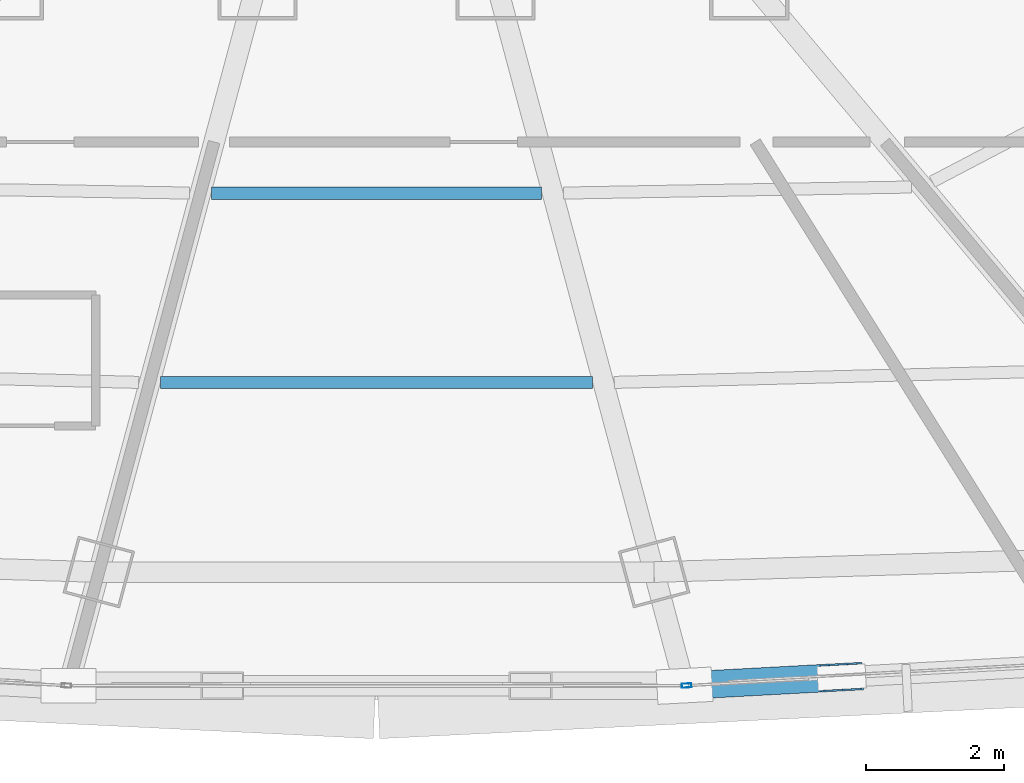
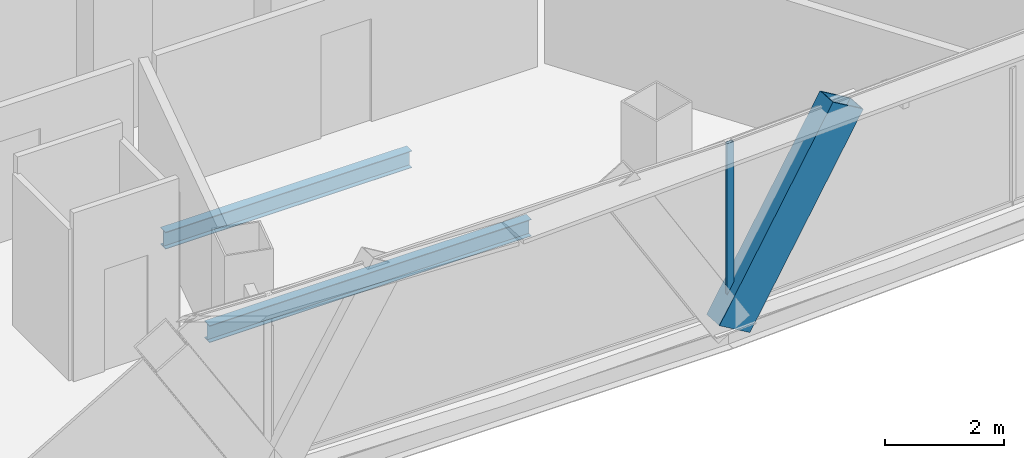
# One storey, part 10 of 37: 2 beams, 2 members, 1 element without a shape of its own.
"""IFC4 building model written with IfcOpenShell, lengths in metres."""

from ifc_helpers import new_model, si_unit, direction, frame, origin, origin_2d, place, context, subcontext, project, spatial, hollow_rectangle, i_section, extrude, source, transform, mapped, material, layer, layer_set, material_profile, profile_set, type_object, element, aggregate, save


model = new_model("IFC4")

# Units and contexts
model_context = context("Model", 3, precision=1e-05, world=origin(), true_north=direction((0.0, 1.0)))
body_context = subcontext(model_context, "Body", "Model", "MODEL_VIEW")
ifc_project = project(units=[si_unit("LENGTHUNIT", "METRE"), si_unit("AREAUNIT", "SQUARE_METRE"), si_unit("VOLUMEUNIT", "CUBIC_METRE"), si_unit("PLANEANGLEUNIT", "RADIAN"), si_unit("MASSUNIT", "GRAM", prefix="KILO"), si_unit("THERMODYNAMICTEMPERATUREUNIT", "KELVIN"), si_unit("POWERUNIT", "WATT")], contexts=[model_context])

# Site, building, storey
site_placement = place(None, origin())
site = spatial("IfcSite", under=ifc_project, at=site_placement, CompositionType="ELEMENT")
building_placement = place(site_placement, origin())
building = spatial("IfcBuilding", under=site, at=building_placement, Name="Yunzhuo Pagoda Commons", CompositionType="ELEMENT")
storey_placement = place(building_placement, frame((0.0, 0.0, 255.719970703125)))
storey = spatial("IfcBuildingStorey", under=building, at=storey_placement, Name="L64", CompositionType="ELEMENT", Elevation=255.719970703125)

# Beams
ifc_material_1 = material(Name="Structural steel Q355B", Category="steel")
ifc_material_profile_1 = material_profile(ifc_material_1, i_section(OverallWidth=0.175048828125, OverallDepth=0.35009765625, WebThickness=0.007080078125, FlangeThickness=0.010986328125, at=origin_2d()), Name="Structural steel Q355B")
ifc_profile_set_1 = profile_set([ifc_material_profile_1], Name="Structural steel Q355B")
beam_type = type_object("IfcBeamType", Name="B-JS2 Joist HN 350x175x7x11", PredefinedType="JOIST", material=ifc_profile_set_1)
shared_shape_1 = source(origin(), body_context, "Body", "SweptSolid", [
    extrude(i_section(OverallWidth=0.175048828125, OverallDepth=0.35009765625, WebThickness=0.007080078125, FlangeThickness=0.010986328125, at=origin_2d()), origin(), (0.0, 0.0, 1.0), 4.796875),
])
beam_1_placement = place(storey_placement, frame((45.601806640625, 24.155517578125, -0.43505859375), z_axis=(1.0, 0.0, 0.0), x_axis=(0.0, 1.0, 0.0)))
element("IfcBeam", 1, at=beam_1_placement, inside=storey, type_object=beam_type, Name="L64 composite ring joist 1.2", PredefinedType="JOIST", context=body_context, shape_type="MappedRepresentation", body=[
    mapped(shared_shape_1, transform((0.0, 0.0, 0.0), scale=1.0)),
])
shared_shape_2 = source(origin(), body_context, "Body", "SweptSolid", [
    extrude(i_section(OverallWidth=0.175048828125, OverallDepth=0.35009765625, WebThickness=0.007080078125, FlangeThickness=0.010986328125, at=origin_2d()), origin(), (0.0, 0.0, 1.0), 6.27099609375),
])
beam_2_placement = place(storey_placement, frame((44.864501953125, 21.40478515625, -0.43505859375), z_axis=(1.0, 0.0, 0.0), x_axis=(0.0, 1.0, 0.0)))
element("IfcBeam", 2, at=beam_2_placement, inside=storey, type_object=beam_type, Name="L64 composite ring joist 2.2", PredefinedType="JOIST", context=body_context, shape_type="MappedRepresentation", body=[
    mapped(shared_shape_2, transform((0.0, 0.0, 0.0), scale=1.0)),
])

# Member
ifc_material_profile_2 = material_profile(ifc_material_1, hollow_rectangle(XDim=0.39990234375, YDim=0.719970703125, WallThickness=0.02392578125, at=origin_2d()), Name="Structural steel Q355B")
ifc_profile_set_2 = profile_set([ifc_material_profile_2], Name="Structural steel Q355B")
member_type_1 = type_object("IfcMemberType", Name="M-DL2 Brace BOX 720x400x24", PredefinedType="BRACE", material=ifc_profile_set_2)
shared_shape_3 = source(origin(), body_context, "Body", "SweptSolid", [
    extrude(hollow_rectangle(XDim=0.39990234375, YDim=0.719970703125, WallThickness=0.02392578125, at=origin_2d()), origin(), (0.0, 0.0, 1.0), 4.37353515625),
])
member_1_placement = place(storey_placement, frame((52.4736328125, 17.004638671875, -0.260009765625), z_axis=(0.521423404962, 0.028189574939, 0.852832328552), x_axis=(-0.053983900233, 0.998541806093, 0.0)))
element("IfcMember", 3, at=member_1_placement, inside=storey, type_object=member_type_1, Name="L64 facade diamond brace F1.3L", PredefinedType="BRACE", context=body_context, shape_type="MappedRepresentation", body=[
    mapped(shared_shape_3, transform((0.0, 0.0, 0.0), scale=1.0)),
])

# Curtain wall, member
ifc_material_2 = material(Name="Anodized aluminium 6063-T6", Category="aluminium")
ifc_layer = layer(ifc_material_2, 0.139892578125)
ifc_layer_set = layer_set([ifc_layer], Name="Anodized aluminium 6063-T6")
curtain_wall_type = type_object("IfcCurtainWallType", Name="CW-HI High-Zone Ribbon Curtain Wall", PredefinedType="NOTDEFINED", material=ifc_layer_set)
curtain_wall_placement = place(storey_placement, origin())
curtain_wall = element("IfcCurtainWall", 4, at=curtain_wall_placement, inside=storey, type_object=curtain_wall_type, Name="L64 curtain wall CW-L64-F1B4", PredefinedType="NOTDEFINED")
ifc_material_profile_3 = material_profile(ifc_material_2, hollow_rectangle(XDim=0.06005859375, YDim=0.139892578125, WallThickness=0.00341796875, at=origin_2d()), Name="Anodized aluminium 6063-T6")
ifc_profile_set_3 = profile_set([ifc_material_profile_3], Name="Anodized aluminium 6063-T6")
member_type_2 = type_object("IfcMemberType", Name="CW-HI-M Mullion RHS 140x60x3.5", PredefinedType="MULLION", material=ifc_profile_set_3)
shared_shape_4 = source(origin(), body_context, "Body", "SweptSolid", [
    extrude(hollow_rectangle(XDim=0.06005859375, YDim=0.139892578125, WallThickness=0.00341796875, at=origin_2d()), origin(), (0.0, 0.0, 1.0), 3.469970703125),
])
member_2_placement = place(storey_placement, frame((52.503662109375, 17.005859375, 0.0), z_axis=(0.0, 0.0, 1.0), x_axis=(-0.053988827702, 0.998541539688, 0.0)))
member_2 = element("IfcMember", 5, at=member_2_placement, type_object=member_type_2, Name="CW mullion 1", PredefinedType="MULLION", context=body_context, shape_type="MappedRepresentation", body=[
    mapped(shared_shape_4, transform((0.0, 0.0, 0.0), scale=1.0)),
])
aggregate(curtain_wall, [member_2])

save(model, "model.ifc")
